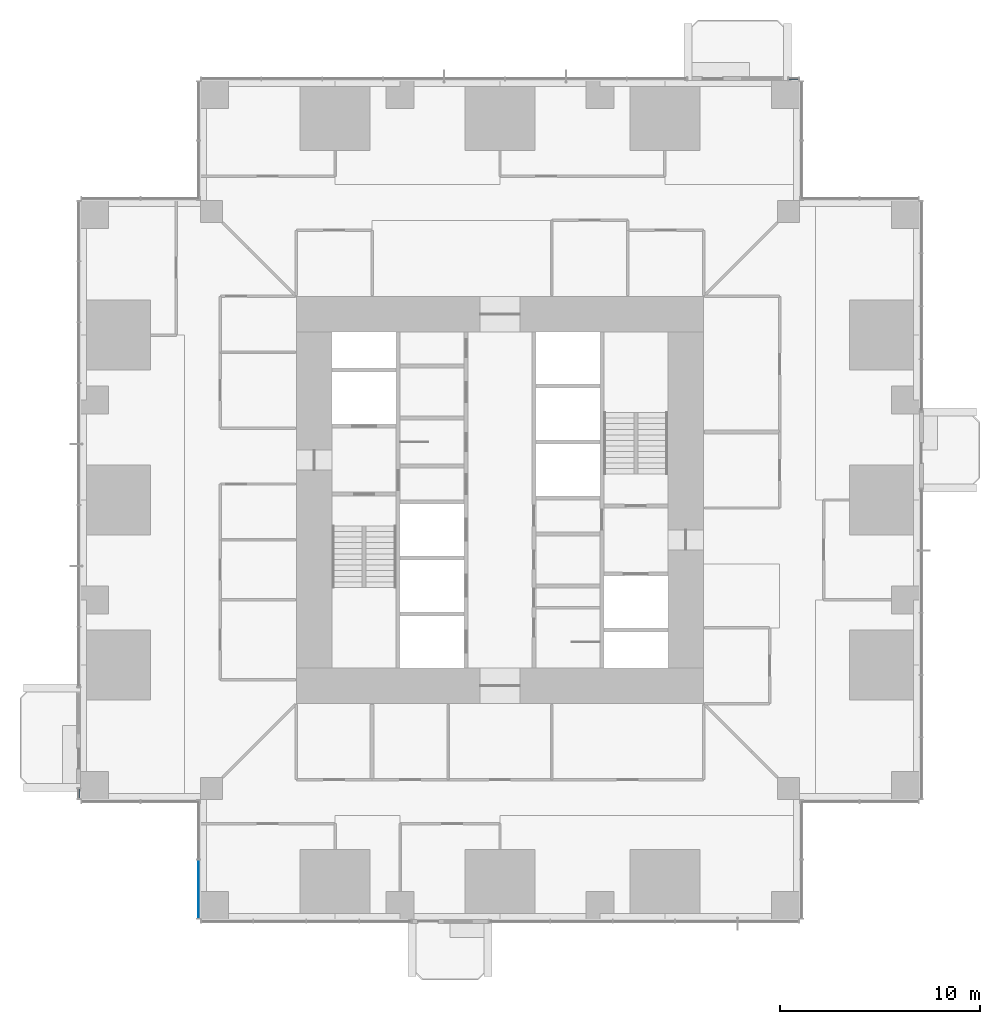
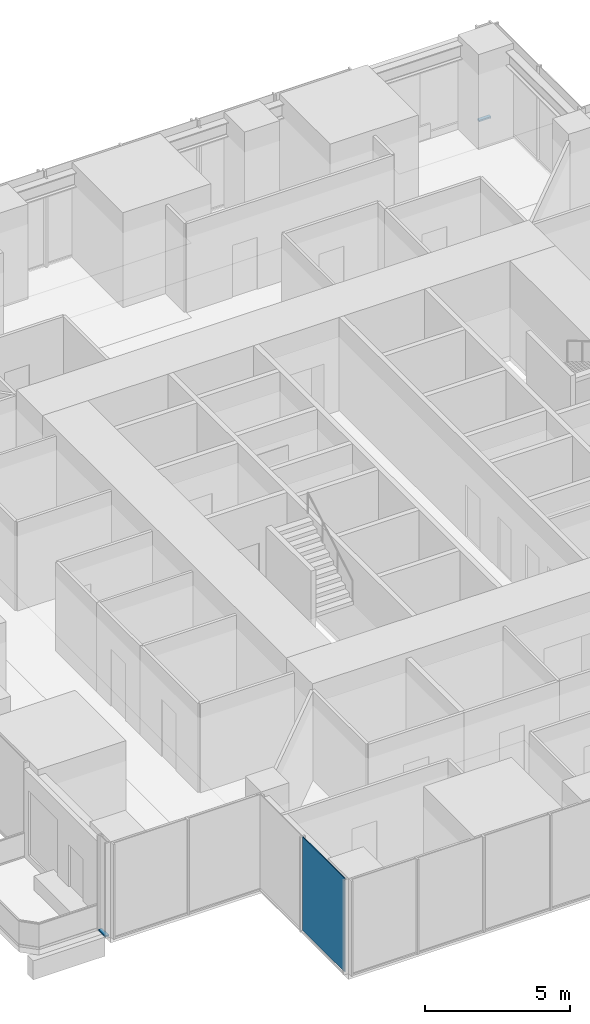
# One storey, part 7 of 17: 2 members, 1 plate, 3 elements without a shape of their own.
"""IFC4 building model written with IfcOpenShell, lengths in metres."""

import ifcopenshell
import ifcopenshell.guid

model = None  # the IFC model being written
_history = None  # IfcOwnerHistory: only IFC2X3 demands one
_inside = {}  # id of a spatial element -> (the spatial element, [elements in it])
_under = {}  # id of a project, library or spatial element -> (it, [spatial elements below it])
_declared = {}  # id of a project -> (the project, [libraries it declares])
_typed = {}  # id of a type object -> (the type object, [elements of that type])
_made_of = {}  # id of a material, layer set ... -> (it, [elements and type objects made of it])


def new_model(schema):
    """Start an empty IFC model of exactly this schema.

    Asked for "IFC4X3", IfcOpenShell would pick the latest addendum, in which some entities
    have other attributes; the version numbers below select the first issue.
    IFC2X3 requires an IfcOwnerHistory on every rooted entity: one is made here for all.
    """
    global model, _history
    if schema == "IFC4X3":
        model = ifcopenshell.file(schema_version=(4, 3, 0, 0))
    else:
        model = ifcopenshell.file(schema=schema)
    _inside.clear()
    _under.clear()
    _declared.clear()
    _typed.clear()
    _made_of.clear()
    _history = None
    if model.schema == "IFC2X3":
        org = make("IfcOrganization", Name="unknown")
        user = make(
            "IfcPersonAndOrganization",
            ThePerson=make("IfcPerson", FamilyName="unknown"),
            TheOrganization=org,
        )
        app = make(
            "IfcApplication",
            ApplicationDeveloper=org,
            Version="unknown",
            ApplicationFullName="unknown",
            ApplicationIdentifier="unknown",
        )
        _history = make(
            "IfcOwnerHistory",
            OwningUser=user,
            OwningApplication=app,
            ChangeAction="ADDED",
            CreationDate=0,
        )
    return model


def make(cls, **values):
    """One entity of the class cls with the attributes given. An attribute that is None is left unset."""
    return model.create_entity(
        cls, **{name: value for name, value in values.items() if value is not None}
    )


def rooted(cls, **values):
    """An entity with a GlobalId (a new one), such as an element, a storey or a relation."""
    return make(cls, GlobalId=ifcopenshell.guid.new(), OwnerHistory=_history, **values)


def si_unit(unit_type, name, prefix=None):
    """IfcSIUnit, for example si_unit("LENGTHUNIT", "METRE", prefix="MILLI")."""
    return make("IfcSIUnit", UnitType=unit_type, Prefix=prefix, Name=name)


def assignment(units):
    """IfcUnitAssignment: the units of a project."""
    return None if units is None else make("IfcUnitAssignment", Units=units)


def point(xyz):
    """IfcCartesianPoint."""
    return None if xyz is None else make("IfcCartesianPoint", Coordinates=xyz)


def direction(xyz):
    """IfcDirection."""
    return None if xyz is None else make("IfcDirection", DirectionRatios=xyz)


def frame(location, z_axis=None, x_axis=None):
    """IfcAxis2Placement3D, a coordinate frame: its origin and axes. An axis left out is left unset."""
    return make(
        "IfcAxis2Placement3D",
        Location=point(location),
        Axis=direction(z_axis),
        RefDirection=direction(x_axis),
    )


def frame_2d(location, x_axis=None):
    """IfcAxis2Placement2D, a coordinate frame in the plane: its origin and x axis."""
    return make(
        "IfcAxis2Placement2D", Location=point(location), RefDirection=direction(x_axis)
    )


def origin():
    """The frame at (0, 0, 0) with its axes left unset."""
    return frame((0.0, 0.0, 0.0))


def origin_2d():
    """The frame at (0, 0) in the plane with its x axis left unset."""
    return frame_2d((0.0, 0.0))


def place(relative_to, where):
    """IfcLocalPlacement: puts the frame where relative to a parent placement (None: the world)."""
    return make(
        "IfcLocalPlacement", PlacementRelTo=relative_to, RelativePlacement=where
    )


def context(
    kind, dimensions, precision=None, world=None, true_north=None, identifier=None
):
    """IfcGeometricRepresentationContext, for example the 3D "Model" context."""
    return make(
        "IfcGeometricRepresentationContext",
        ContextIdentifier=identifier,
        ContextType=kind,
        CoordinateSpaceDimension=dimensions,
        Precision=precision,
        WorldCoordinateSystem=world,
        TrueNorth=true_north,
    )


def subcontext(parent, identifier, kind, view, scale=None):
    """IfcGeometricRepresentationSubContext, for example "Body" below "Model"."""
    return make(
        "IfcGeometricRepresentationSubContext",
        ContextIdentifier=identifier,
        ContextType=kind,
        ParentContext=parent,
        TargetScale=scale,
        TargetView=view,
    )


def project(units=None, contexts=None):
    """IfcProject with its units and contexts."""
    return rooted(
        "IfcProject",
        Name="project",
        RepresentationContexts=contexts,
        UnitsInContext=assignment(units),
    )


def spatial(cls, under=None, at=None, **own):
    """A site, building, storey or space (cls), placed at a placement, below another one or the project."""
    s = rooted(cls, ObjectPlacement=at, **own)
    if under is not None:
        _under.setdefault(under.id(), (under, []))[1].append(s)
    return s


def profile(cls, at=None, kind="AREA", **sizes):
    """A parametric profile (cls). Its sizes go by their IFC names, for example OverallWidth=200.0."""
    return make(cls, ProfileType=kind, Position=at, **sizes)


def rectangle(**sizes):
    """IfcRectangleProfileDef."""
    return profile("IfcRectangleProfileDef", **sizes)


def extrude(swept, where, along, depth):
    """IfcExtrudedAreaSolid: the profile swept, set in the frame where, extruded along a direction by depth."""
    return make(
        "IfcExtrudedAreaSolid",
        SweptArea=swept,
        Position=where,
        ExtrudedDirection=direction(along),
        Depth=depth,
    )


def shape(context_of_items, identifier, shape_type, items):
    """IfcShapeRepresentation: the items that make up one representation, for example the "Body"."""
    return make(
        "IfcShapeRepresentation",
        ContextOfItems=context_of_items,
        RepresentationIdentifier=identifier,
        RepresentationType=shape_type,
        Items=items,
    )


def material(Name=None, Category=None):
    """IfcMaterial."""
    return make("IfcMaterial", Name=Name, Category=Category)


def layer(
    of_material, thickness, ventilated=None, Name=None, Category=None, Priority=None
):
    """IfcMaterialLayer: one layer of a wall or slab, of a material (None: an air gap)."""
    return make(
        "IfcMaterialLayer",
        Material=of_material,
        LayerThickness=thickness,
        IsVentilated=ventilated,
        Name=Name,
        Category=Category,
        Priority=Priority,
    )


def layer_set(layers, Name=None):
    """IfcMaterialLayerSet."""
    return make("IfcMaterialLayerSet", MaterialLayers=layers, LayerSetName=Name)


def material_profile(
    of_material, cross_section, Name=None, Category=None, Priority=None
):
    """IfcMaterialProfile: a cross section and its material."""
    return make(
        "IfcMaterialProfile",
        Name=Name,
        Material=of_material,
        Profile=cross_section,
        Priority=Priority,
        Category=Category,
    )


def profile_set(profiles, Name=None, composite=None):
    """IfcMaterialProfileSet."""
    return make(
        "IfcMaterialProfileSet",
        Name=Name,
        MaterialProfiles=profiles,
        CompositeProfile=composite,
    )


def made_of(thing, what):
    """Note that an element or type object is made of a material, layer set ...; save() writes the relation."""
    if what is not None:
        _made_of.setdefault(what.id(), (what, []))[1].append(thing)
    return thing


def type_object(cls, material=None, **own):
    """A type object (cls), such as IfcWallType, which elements share."""
    return made_of(rooted(cls, **own), material)


def element(
    cls,
    number,
    at=None,
    inside=None,
    cuts=None,
    type_object=None,
    material=None,
    context=None,
    identifier="Body",
    shape_type=None,
    held_by="IfcProductDefinitionShape",
    body=None,
    shapes=None,
    **own,
):
    """One element of the class cls, such as IfcWall. Its Tag is "e" and its number.

    at: its placement. inside: the storey or other place that contains it. cuts: it is an
    opening in that element (IfcRelVoidsElement). A single representation is given by context,
    identifier, shape_type and body (its items); several are given by shapes. held_by: the class
    of the entity that holds the representations. save() writes the other relations.
    """
    e = rooted(cls, Tag="e%d" % number, ObjectPlacement=at, **own)
    if body is not None:
        shapes = [shape(context, identifier, shape_type, body)]
    if shapes is not None:
        e.Representation = make(held_by, Representations=shapes)
    if inside is not None:
        _inside.setdefault(inside.id(), (inside, []))[1].append(e)
    if cuts is not None:
        rooted(
            "IfcRelVoidsElement", RelatingBuildingElement=cuts, RelatedOpeningElement=e
        )
    if type_object is not None:
        _typed.setdefault(type_object.id(), (type_object, []))[1].append(e)
    return made_of(e, material)


def aggregate(whole, parts):
    """IfcRelAggregates: a whole, such as a stair, and the parts it consists of."""
    return rooted("IfcRelAggregates", RelatingObject=whole, RelatedObjects=parts)


def save(model, path):
    """Write the relations noted so far, then the file.

    IfcRelAggregates (storeys below a building ...), IfcRelContainedInSpatialStructure (elements
    in a storey), IfcRelDefinesByType, IfcRelAssociatesMaterial and IfcRelDeclares: one each for
    every whole, place, type object, material and project.
    """
    for whole, parts in _under.values():
        aggregate(whole, parts)
    for where, things in _inside.values():
        rooted(
            "IfcRelContainedInSpatialStructure",
            RelatedElements=things,
            RelatingStructure=where,
        )
    for kind, things in _typed.values():
        rooted("IfcRelDefinesByType", RelatedObjects=things, RelatingType=kind)
    for what, things in _made_of.values():
        rooted("IfcRelAssociatesMaterial", RelatedObjects=things, RelatingMaterial=what)
    for by, libraries in _declared.values():
        rooted("IfcRelDeclares", RelatingContext=by, RelatedDefinitions=libraries)
    model.write(path)


model = new_model("IFC4")

# Units and contexts
model_context = context("Model", 3, precision=1e-05, world=origin(), true_north=direction((0.0, 1.0)))
body_context = subcontext(model_context, "Body", "Model", "MODEL_VIEW")
ifc_project = project(units=[si_unit("LENGTHUNIT", "METRE"), si_unit("AREAUNIT", "SQUARE_METRE"), si_unit("VOLUMEUNIT", "CUBIC_METRE"), si_unit("PLANEANGLEUNIT", "RADIAN"), si_unit("MASSUNIT", "GRAM", prefix="KILO")], contexts=[model_context])

# Site, building, storey
site_placement = place(None, origin())
site = spatial("IfcSite", under=ifc_project, at=site_placement, CompositionType="ELEMENT")
building_placement = place(site_placement, origin())
building = spatial("IfcBuilding", under=site, at=building_placement, Name="Svetlomir Tower", CompositionType="ELEMENT")
storey_placement = place(building_placement, frame((0.0, 0.0, 70.5)))
storey = spatial("IfcBuildingStorey", under=building, at=storey_placement, Name="L16", CompositionType="ELEMENT", Elevation=70.5)

# Curtain wall, member
ifc_material_1 = material(Name="Bronze anodised aluminium curtain wall", Category="aluminium")
curtain_wall_type = type_object("IfcCurtainWallType", Name="CURTAIN WALL CW1 TOWER OFFICE", PredefinedType="NOTDEFINED", material=ifc_material_1)
curtain_wall_1_placement = place(storey_placement, origin())
curtain_wall_1 = element("IfcCurtainWall", 1, at=curtain_wall_1_placement, inside=storey, type_object=curtain_wall_type, Name="Curtain wall CW1 L16", PredefinedType="NOTDEFINED")
ifc_material_2 = material(Name="Bronze anodised aluminium", Category="aluminium")
ifc_material_profile = material_profile(ifc_material_2, rectangle(XDim=0.139892578125, YDim=0.06494140625, at=origin_2d()), Name="AL 140x65")
ifc_profile_set = profile_set([ifc_material_profile], Name="Bronze anodised aluminium 6063-T6")
member_type = type_object("IfcMemberType", Name="CW1 TRANSOM 65x140", PredefinedType="USERDEFINED", material=ifc_profile_set)
member_1_placement = place(storey_placement, frame((35.93505859375, 42.10009765625, 0.032470703125), z_axis=(-1.0, 0.0, 0.0), x_axis=(0.0, -1.0, 0.0)))
member_1 = element("IfcMember", 2, at=member_1_placement, type_object=member_type, Name="CW1 transom 1.1", ObjectType="TRANSOM", PredefinedType="USERDEFINED", context=body_context, shape_type="SweptSolid", body=[
    extrude(rectangle(XDim=0.139892578125, YDim=0.06494140625, at=origin_2d()), origin(), (0.0, 0.0, 1.0), 0.469970703125),
])
aggregate(curtain_wall_1, [member_1])

curtain_wall_2_placement = place(storey_placement, origin())
curtain_wall_2 = element("IfcCurtainWall", 3, at=curtain_wall_2_placement, inside=storey, type_object=curtain_wall_type, Name="Curtain wall CW1 L16", PredefinedType="NOTDEFINED")
member_2_placement = place(storey_placement, frame((-0.10009765625, 6.534912109375, 0.032470703125), z_axis=(0.0, -1.0, 0.0), x_axis=(1.0, 0.0, 0.0)))
member_2 = element("IfcMember", 4, at=member_2_placement, type_object=member_type, Name="CW1 transom 1.1", ObjectType="TRANSOM", PredefinedType="USERDEFINED", context=body_context, shape_type="SweptSolid", body=[
    extrude(rectangle(XDim=0.139892578125, YDim=0.06494140625, at=origin_2d()), origin(), (0.0, 0.0, 1.0), 0.469970703125),
])
aggregate(curtain_wall_2, [member_2])

# Curtain wall, plate
curtain_wall_3_placement = place(storey_placement, origin())
curtain_wall_3 = element("IfcCurtainWall", 5, at=curtain_wall_3_placement, inside=storey, type_object=curtain_wall_type, Name="Curtain wall CW1 L16", PredefinedType="NOTDEFINED")
ifc_material_3 = material(Name="Tinted double glazed unit", Category="glass")
ifc_layer = layer(ifc_material_3, 0.031982421875)
ifc_layer_set = layer_set([ifc_layer], Name="Tinted double glazed unit")
plate_type = type_object("IfcPlateType", Name="CW1 GLAZED PANEL 32", PredefinedType="CURTAIN_PANEL", material=ifc_layer_set)
plate_placement = place(storey_placement, frame((5.89990234375, 1.516357421875, 0.06494140625), z_axis=(0.0, 0.0, 1.0), x_axis=(0.0, -1.0, 0.0)))
plate = element("IfcPlate", 6, at=plate_placement, type_object=plate_type, Name="CW1 panel 2.1", PredefinedType="CURTAIN_PANEL", context=body_context, shape_type="SweptSolid", body=[
    extrude(rectangle(XDim=2.902587890625, YDim=0.031982421875, at=origin_2d()), origin(), (0.0, 0.0, 1.0), 3.93505859375),
])
aggregate(curtain_wall_3, [plate])

save(model, "model.ifc")
